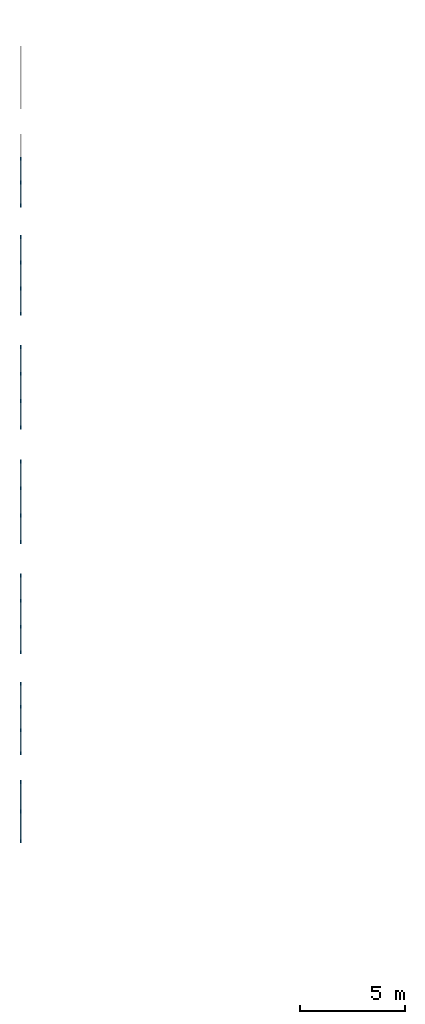
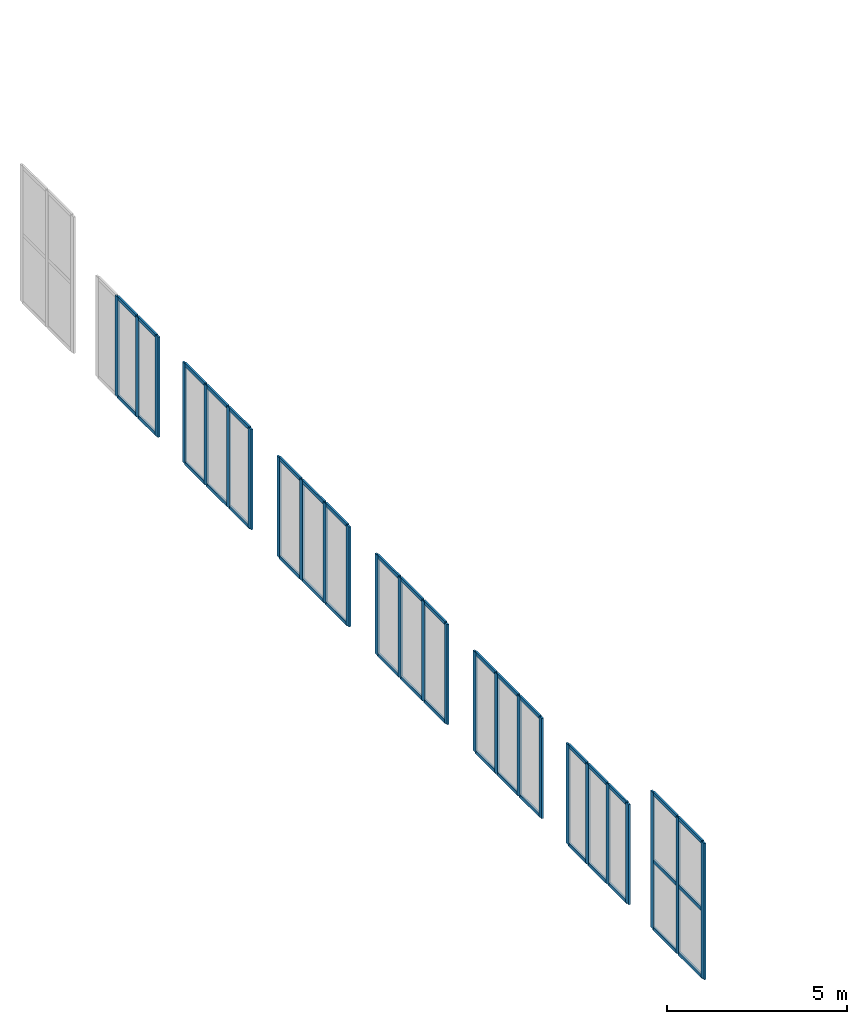
# One storey, part 2 of 31: 66 members, 7 elements without a shape of their own.
"""IFC4 building model written with IfcOpenShell, lengths in metres."""

import ifcopenshell
import ifcopenshell.guid

model = None  # the IFC model being written
_history = None  # IfcOwnerHistory: only IFC2X3 demands one
_inside = {}  # id of a spatial element -> (the spatial element, [elements in it])
_under = {}  # id of a project, library or spatial element -> (it, [spatial elements below it])
_declared = {}  # id of a project -> (the project, [libraries it declares])
_typed = {}  # id of a type object -> (the type object, [elements of that type])
_made_of = {}  # id of a material, layer set ... -> (it, [elements and type objects made of it])


def new_model(schema):
    """Start an empty IFC model of exactly this schema.

    Asked for "IFC4X3", IfcOpenShell would pick the latest addendum, in which some entities
    have other attributes; the version numbers below select the first issue.
    IFC2X3 requires an IfcOwnerHistory on every rooted entity: one is made here for all.
    """
    global model, _history
    if schema == "IFC4X3":
        model = ifcopenshell.file(schema_version=(4, 3, 0, 0))
    else:
        model = ifcopenshell.file(schema=schema)
    _inside.clear()
    _under.clear()
    _declared.clear()
    _typed.clear()
    _made_of.clear()
    _history = None
    if model.schema == "IFC2X3":
        org = make("IfcOrganization", Name="unknown")
        user = make(
            "IfcPersonAndOrganization",
            ThePerson=make("IfcPerson", FamilyName="unknown"),
            TheOrganization=org,
        )
        app = make(
            "IfcApplication",
            ApplicationDeveloper=org,
            Version="unknown",
            ApplicationFullName="unknown",
            ApplicationIdentifier="unknown",
        )
        _history = make(
            "IfcOwnerHistory",
            OwningUser=user,
            OwningApplication=app,
            ChangeAction="ADDED",
            CreationDate=0,
        )
    return model


def make(cls, **values):
    """One entity of the class cls with the attributes given. An attribute that is None is left unset."""
    return model.create_entity(
        cls, **{name: value for name, value in values.items() if value is not None}
    )


def rooted(cls, **values):
    """An entity with a GlobalId (a new one), such as an element, a storey or a relation."""
    return make(cls, GlobalId=ifcopenshell.guid.new(), OwnerHistory=_history, **values)


def si_unit(unit_type, name, prefix=None):
    """IfcSIUnit, for example si_unit("LENGTHUNIT", "METRE", prefix="MILLI")."""
    return make("IfcSIUnit", UnitType=unit_type, Prefix=prefix, Name=name)


def assignment(units):
    """IfcUnitAssignment: the units of a project."""
    return None if units is None else make("IfcUnitAssignment", Units=units)


def point(xyz):
    """IfcCartesianPoint."""
    return None if xyz is None else make("IfcCartesianPoint", Coordinates=xyz)


def direction(xyz):
    """IfcDirection."""
    return None if xyz is None else make("IfcDirection", DirectionRatios=xyz)


def frame(location, z_axis=None, x_axis=None):
    """IfcAxis2Placement3D, a coordinate frame: its origin and axes. An axis left out is left unset."""
    return make(
        "IfcAxis2Placement3D",
        Location=point(location),
        Axis=direction(z_axis),
        RefDirection=direction(x_axis),
    )


def frame_2d(location, x_axis=None):
    """IfcAxis2Placement2D, a coordinate frame in the plane: its origin and x axis."""
    return make(
        "IfcAxis2Placement2D", Location=point(location), RefDirection=direction(x_axis)
    )


def origin():
    """The frame at (0, 0, 0) with its axes left unset."""
    return frame((0.0, 0.0, 0.0))


def origin_2d():
    """The frame at (0, 0) in the plane with its x axis left unset."""
    return frame_2d((0.0, 0.0))


def place(relative_to, where):
    """IfcLocalPlacement: puts the frame where relative to a parent placement (None: the world)."""
    return make(
        "IfcLocalPlacement", PlacementRelTo=relative_to, RelativePlacement=where
    )


def context(
    kind, dimensions, precision=None, world=None, true_north=None, identifier=None
):
    """IfcGeometricRepresentationContext, for example the 3D "Model" context."""
    return make(
        "IfcGeometricRepresentationContext",
        ContextIdentifier=identifier,
        ContextType=kind,
        CoordinateSpaceDimension=dimensions,
        Precision=precision,
        WorldCoordinateSystem=world,
        TrueNorth=true_north,
    )


def subcontext(parent, identifier, kind, view, scale=None):
    """IfcGeometricRepresentationSubContext, for example "Body" below "Model"."""
    return make(
        "IfcGeometricRepresentationSubContext",
        ContextIdentifier=identifier,
        ContextType=kind,
        ParentContext=parent,
        TargetScale=scale,
        TargetView=view,
    )


def project(units=None, contexts=None):
    """IfcProject with its units and contexts."""
    return rooted(
        "IfcProject",
        Name="project",
        RepresentationContexts=contexts,
        UnitsInContext=assignment(units),
    )


def spatial(cls, under=None, at=None, **own):
    """A site, building, storey or space (cls), placed at a placement, below another one or the project."""
    s = rooted(cls, ObjectPlacement=at, **own)
    if under is not None:
        _under.setdefault(under.id(), (under, []))[1].append(s)
    return s


def profile(cls, at=None, kind="AREA", **sizes):
    """A parametric profile (cls). Its sizes go by their IFC names, for example OverallWidth=200.0."""
    return make(cls, ProfileType=kind, Position=at, **sizes)


def rectangle(**sizes):
    """IfcRectangleProfileDef."""
    return profile("IfcRectangleProfileDef", **sizes)


def extrude(swept, where, along, depth):
    """IfcExtrudedAreaSolid: the profile swept, set in the frame where, extruded along a direction by depth."""
    return make(
        "IfcExtrudedAreaSolid",
        SweptArea=swept,
        Position=where,
        ExtrudedDirection=direction(along),
        Depth=depth,
    )


def shape(context_of_items, identifier, shape_type, items):
    """IfcShapeRepresentation: the items that make up one representation, for example the "Body"."""
    return make(
        "IfcShapeRepresentation",
        ContextOfItems=context_of_items,
        RepresentationIdentifier=identifier,
        RepresentationType=shape_type,
        Items=items,
    )


def material(Name=None, Category=None):
    """IfcMaterial."""
    return make("IfcMaterial", Name=Name, Category=Category)


def material_profile(
    of_material, cross_section, Name=None, Category=None, Priority=None
):
    """IfcMaterialProfile: a cross section and its material."""
    return make(
        "IfcMaterialProfile",
        Name=Name,
        Material=of_material,
        Profile=cross_section,
        Priority=Priority,
        Category=Category,
    )


def profile_set(profiles, Name=None, composite=None):
    """IfcMaterialProfileSet."""
    return make(
        "IfcMaterialProfileSet",
        Name=Name,
        MaterialProfiles=profiles,
        CompositeProfile=composite,
    )


def made_of(thing, what):
    """Note that an element or type object is made of a material, layer set ...; save() writes the relation."""
    if what is not None:
        _made_of.setdefault(what.id(), (what, []))[1].append(thing)
    return thing


def type_object(cls, material=None, **own):
    """A type object (cls), such as IfcWallType, which elements share."""
    return made_of(rooted(cls, **own), material)


def element(
    cls,
    number,
    at=None,
    inside=None,
    cuts=None,
    type_object=None,
    material=None,
    context=None,
    identifier="Body",
    shape_type=None,
    held_by="IfcProductDefinitionShape",
    body=None,
    shapes=None,
    **own,
):
    """One element of the class cls, such as IfcWall. Its Tag is "e" and its number.

    at: its placement. inside: the storey or other place that contains it. cuts: it is an
    opening in that element (IfcRelVoidsElement). A single representation is given by context,
    identifier, shape_type and body (its items); several are given by shapes. held_by: the class
    of the entity that holds the representations. save() writes the other relations.
    """
    e = rooted(cls, Tag="e%d" % number, ObjectPlacement=at, **own)
    if body is not None:
        shapes = [shape(context, identifier, shape_type, body)]
    if shapes is not None:
        e.Representation = make(held_by, Representations=shapes)
    if inside is not None:
        _inside.setdefault(inside.id(), (inside, []))[1].append(e)
    if cuts is not None:
        rooted(
            "IfcRelVoidsElement", RelatingBuildingElement=cuts, RelatedOpeningElement=e
        )
    if type_object is not None:
        _typed.setdefault(type_object.id(), (type_object, []))[1].append(e)
    return made_of(e, material)


def aggregate(whole, parts):
    """IfcRelAggregates: a whole, such as a stair, and the parts it consists of."""
    return rooted("IfcRelAggregates", RelatingObject=whole, RelatedObjects=parts)


def save(model, path):
    """Write the relations noted so far, then the file.

    IfcRelAggregates (storeys below a building ...), IfcRelContainedInSpatialStructure (elements
    in a storey), IfcRelDefinesByType, IfcRelAssociatesMaterial and IfcRelDeclares: one each for
    every whole, place, type object, material and project.
    """
    for whole, parts in _under.values():
        aggregate(whole, parts)
    for where, things in _inside.values():
        rooted(
            "IfcRelContainedInSpatialStructure",
            RelatedElements=things,
            RelatingStructure=where,
        )
    for kind, things in _typed.values():
        rooted("IfcRelDefinesByType", RelatedObjects=things, RelatingType=kind)
    for what, things in _made_of.values():
        rooted("IfcRelAssociatesMaterial", RelatedObjects=things, RelatingMaterial=what)
    for by, libraries in _declared.values():
        rooted("IfcRelDeclares", RelatingContext=by, RelatedDefinitions=libraries)
    model.write(path)


model = new_model("IFC4")

# Units and contexts
model_context = context("Model", 3, precision=1e-05, world=origin(), true_north=direction((0.0, 1.0)))
body_context = subcontext(model_context, "Body", "Model", "MODEL_VIEW")
ifc_project = project(units=[si_unit("LENGTHUNIT", "METRE"), si_unit("AREAUNIT", "SQUARE_METRE"), si_unit("VOLUMEUNIT", "CUBIC_METRE"), si_unit("PLANEANGLEUNIT", "RADIAN"), si_unit("MASSUNIT", "GRAM", prefix="KILO")], contexts=[model_context])

# Site, building, storey
site_placement = place(None, origin())
site = spatial("IfcSite", under=ifc_project, at=site_placement, CompositionType="ELEMENT")
building_placement = place(site_placement, origin())
building = spatial("IfcBuilding", under=site, at=building_placement, Name="Vermilion Court Aquatics Centre", CompositionType="ELEMENT")
storey_placement = place(building_placement, frame((0.0, 0.0, 16.5)))
storey = spatial("IfcBuildingStorey", under=building, at=storey_placement, Name="L03", CompositionType="ELEMENT", Elevation=16.5)

# Curtain wall, members
ifc_material_1 = material(Name="Aluminium 6063-T5", Category="aluminium")
curtain_wall_type = type_object("IfcCurtainWallType", Name="Envelope curtain wall west gable upper runs", PredefinedType="NOTDEFINED", material=ifc_material_1)
curtain_wall_1_placement = place(storey_placement, origin())
curtain_wall_1 = element("IfcCurtainWall", 1, at=curtain_wall_1_placement, inside=storey, type_object=curtain_wall_type, Name="Gable glazing west 3.2", PredefinedType="NOTDEFINED")
ifc_material_2 = material(Name="Aluminium 6063-T5", Category="aluminium")
ifc_material_profile_1 = material_profile(ifc_material_2, rectangle(XDim=0.06005859375, YDim=0.159912109375, at=origin_2d()), Name="AL 60x160")
ifc_profile_set_1 = profile_set([ifc_material_profile_1], Name="Aluminium 6063-T5")
member_type_1 = type_object("IfcMemberType", Name="Envelope aluminium mullion 60x160", PredefinedType="MULLION", material=ifc_profile_set_1)
member_1_placement = place(storey_placement, frame((14.125, 20.64990234375, 0.0), z_axis=(0.0, 0.0, 1.0), x_axis=(-1.0, 0.0, 0.0)))
member_1 = element("IfcMember", 2, at=member_1_placement, type_object=member_type_1, Name="ECW4 mullion 1", PredefinedType="MULLION", context=body_context, shape_type="SweptSolid", body=[
    extrude(rectangle(XDim=0.06005859375, YDim=0.159912109375, at=origin_2d()), origin(), (0.0, 0.0, 1.0), 4.635009765625),
])
member_2_placement = place(storey_placement, frame((14.125, 22.06005859375, 0.0), z_axis=(0.0, 0.0, 1.0), x_axis=(-1.0, 0.0, 0.0)))
member_2 = element("IfcMember", 3, at=member_2_placement, type_object=member_type_1, Name="ECW4 mullion 2", PredefinedType="MULLION", context=body_context, shape_type="SweptSolid", body=[
    extrude(rectangle(XDim=0.06005859375, YDim=0.159912109375, at=origin_2d()), origin(), (0.0, 0.0, 1.0), 4.635009765625),
])
member_3_placement = place(storey_placement, frame((14.125, 23.469970703125, 0.0), z_axis=(0.0, 0.0, 1.0), x_axis=(-1.0, 0.0, 0.0)))
member_3 = element("IfcMember", 4, at=member_3_placement, type_object=member_type_1, Name="ECW4 mullion 3", PredefinedType="MULLION", context=body_context, shape_type="SweptSolid", body=[
    extrude(rectangle(XDim=0.06005859375, YDim=0.159912109375, at=origin_2d()), origin(), (0.0, 0.0, 1.0), 4.635009765625),
])

curtain_wall_2_placement = place(storey_placement, origin())
curtain_wall_2 = element("IfcCurtainWall", 5, at=curtain_wall_2_placement, inside=storey, type_object=curtain_wall_type, Name="Gable glazing west 4.2", PredefinedType="NOTDEFINED")
member_4_placement = place(storey_placement, frame((14.125, 24.85009765625, 0.0), z_axis=(0.0, 0.0, 1.0), x_axis=(-1.0, 0.0, 0.0)))
member_4 = element("IfcMember", 6, at=member_4_placement, type_object=member_type_1, Name="ECW4 mullion 1", PredefinedType="MULLION", context=body_context, shape_type="SweptSolid", body=[
    extrude(rectangle(XDim=0.06005859375, YDim=0.159912109375, at=origin_2d()), origin(), (0.0, 0.0, 1.0), 3.39990234375),
])
member_5_placement = place(storey_placement, frame((14.125, 25.94677734375, 0.0), z_axis=(0.0, 0.0, 1.0), x_axis=(-1.0, 0.0, 0.0)))
member_5 = element("IfcMember", 7, at=member_5_placement, type_object=member_type_1, Name="ECW4 mullion 2", PredefinedType="MULLION", context=body_context, shape_type="SweptSolid", body=[
    extrude(rectangle(XDim=0.06005859375, YDim=0.159912109375, at=origin_2d()), origin(), (0.0, 0.0, 1.0), 3.39990234375),
])
member_6_placement = place(storey_placement, frame((14.125, 27.0732421875, 0.0), z_axis=(0.0, 0.0, 1.0), x_axis=(-1.0, 0.0, 0.0)))
member_6 = element("IfcMember", 8, at=member_6_placement, type_object=member_type_1, Name="ECW4 mullion 3", PredefinedType="MULLION", context=body_context, shape_type="SweptSolid", body=[
    extrude(rectangle(XDim=0.06005859375, YDim=0.159912109375, at=origin_2d()), origin(), (0.0, 0.0, 1.0), 3.39990234375),
])
member_7_placement = place(storey_placement, frame((14.125, 28.169921875, 0.0), z_axis=(0.0, 0.0, 1.0), x_axis=(-1.0, 0.0, 0.0)))
member_7 = element("IfcMember", 9, at=member_7_placement, type_object=member_type_1, Name="ECW4 mullion 4", PredefinedType="MULLION", context=body_context, shape_type="SweptSolid", body=[
    extrude(rectangle(XDim=0.06005859375, YDim=0.159912109375, at=origin_2d()), origin(), (0.0, 0.0, 1.0), 3.39990234375),
])

curtain_wall_3_placement = place(storey_placement, origin())
curtain_wall_3 = element("IfcCurtainWall", 10, at=curtain_wall_3_placement, inside=storey, type_object=curtain_wall_type, Name="Gable glazing west 5.2", PredefinedType="NOTDEFINED")
member_8_placement = place(storey_placement, frame((14.125, 29.679931640625, 0.0), z_axis=(0.0, 0.0, 1.0), x_axis=(-1.0, 0.0, 0.0)))
member_8 = element("IfcMember", 11, at=member_8_placement, type_object=member_type_1, Name="ECW4 mullion 1", PredefinedType="MULLION", context=body_context, shape_type="SweptSolid", body=[
    extrude(rectangle(XDim=0.06005859375, YDim=0.159912109375, at=origin_2d()), origin(), (0.0, 0.0, 1.0), 3.39990234375),
])
member_9_placement = place(storey_placement, frame((14.125, 30.893310546875, 0.0), z_axis=(0.0, 0.0, 1.0), x_axis=(-1.0, 0.0, 0.0)))
member_9 = element("IfcMember", 12, at=member_9_placement, type_object=member_type_1, Name="ECW4 mullion 2", PredefinedType="MULLION", context=body_context, shape_type="SweptSolid", body=[
    extrude(rectangle(XDim=0.06005859375, YDim=0.159912109375, at=origin_2d()), origin(), (0.0, 0.0, 1.0), 3.39990234375),
])
member_10_placement = place(storey_placement, frame((14.125, 32.13671875, 0.0), z_axis=(0.0, 0.0, 1.0), x_axis=(-1.0, 0.0, 0.0)))
member_10 = element("IfcMember", 13, at=member_10_placement, type_object=member_type_1, Name="ECW4 mullion 3", PredefinedType="MULLION", context=body_context, shape_type="SweptSolid", body=[
    extrude(rectangle(XDim=0.06005859375, YDim=0.159912109375, at=origin_2d()), origin(), (0.0, 0.0, 1.0), 3.39990234375),
])
member_11_placement = place(storey_placement, frame((14.125, 33.35009765625, 0.0), z_axis=(0.0, 0.0, 1.0), x_axis=(-1.0, 0.0, 0.0)))
member_11 = element("IfcMember", 14, at=member_11_placement, type_object=member_type_1, Name="ECW4 mullion 4", PredefinedType="MULLION", context=body_context, shape_type="SweptSolid", body=[
    extrude(rectangle(XDim=0.06005859375, YDim=0.159912109375, at=origin_2d()), origin(), (0.0, 0.0, 1.0), 3.39990234375),
])

curtain_wall_4_placement = place(storey_placement, origin())
curtain_wall_4 = element("IfcCurtainWall", 15, at=curtain_wall_4_placement, inside=storey, type_object=curtain_wall_type, Name="Gable glazing west 6.2", PredefinedType="NOTDEFINED")
member_12_placement = place(storey_placement, frame((14.125, 34.93994140625, 0.0), z_axis=(0.0, 0.0, 1.0), x_axis=(-1.0, 0.0, 0.0)))
member_12 = element("IfcMember", 16, at=member_12_placement, type_object=member_type_1, Name="ECW4 mullion 1", PredefinedType="MULLION", context=body_context, shape_type="SweptSolid", body=[
    extrude(rectangle(XDim=0.06005859375, YDim=0.159912109375, at=origin_2d()), origin(), (0.0, 0.0, 1.0), 3.39990234375),
])
member_13_placement = place(storey_placement, frame((14.125, 36.21337890625, 0.0), z_axis=(0.0, 0.0, 1.0), x_axis=(-1.0, 0.0, 0.0)))
member_13 = element("IfcMember", 17, at=member_13_placement, type_object=member_type_1, Name="ECW4 mullion 2", PredefinedType="MULLION", context=body_context, shape_type="SweptSolid", body=[
    extrude(rectangle(XDim=0.06005859375, YDim=0.159912109375, at=origin_2d()), origin(), (0.0, 0.0, 1.0), 3.39990234375),
])
member_14_placement = place(storey_placement, frame((14.125, 37.5166015625, 0.0), z_axis=(0.0, 0.0, 1.0), x_axis=(-1.0, 0.0, 0.0)))
member_14 = element("IfcMember", 18, at=member_14_placement, type_object=member_type_1, Name="ECW4 mullion 3", PredefinedType="MULLION", context=body_context, shape_type="SweptSolid", body=[
    extrude(rectangle(XDim=0.06005859375, YDim=0.159912109375, at=origin_2d()), origin(), (0.0, 0.0, 1.0), 3.39990234375),
])
member_15_placement = place(storey_placement, frame((14.125, 38.7900390625, 0.0), z_axis=(0.0, 0.0, 1.0), x_axis=(-1.0, 0.0, 0.0)))
member_15 = element("IfcMember", 19, at=member_15_placement, type_object=member_type_1, Name="ECW4 mullion 4", PredefinedType="MULLION", context=body_context, shape_type="SweptSolid", body=[
    extrude(rectangle(XDim=0.06005859375, YDim=0.159912109375, at=origin_2d()), origin(), (0.0, 0.0, 1.0), 3.39990234375),
])

curtain_wall_5_placement = place(storey_placement, origin())
curtain_wall_5 = element("IfcCurtainWall", 20, at=curtain_wall_5_placement, inside=storey, type_object=curtain_wall_type, Name="Gable glazing west 7.2", PredefinedType="NOTDEFINED")
member_16_placement = place(storey_placement, frame((14.125, 40.409912109375, 0.0), z_axis=(0.0, 0.0, 1.0), x_axis=(-1.0, 0.0, 0.0)))
member_16 = element("IfcMember", 21, at=member_16_placement, type_object=member_type_1, Name="ECW4 mullion 1", PredefinedType="MULLION", context=body_context, shape_type="SweptSolid", body=[
    extrude(rectangle(XDim=0.06005859375, YDim=0.159912109375, at=origin_2d()), origin(), (0.0, 0.0, 1.0), 3.39990234375),
])
member_17_placement = place(storey_placement, frame((14.125, 41.683349609375, 0.0), z_axis=(0.0, 0.0, 1.0), x_axis=(-1.0, 0.0, 0.0)))
member_17 = element("IfcMember", 22, at=member_17_placement, type_object=member_type_1, Name="ECW4 mullion 2", PredefinedType="MULLION", context=body_context, shape_type="SweptSolid", body=[
    extrude(rectangle(XDim=0.06005859375, YDim=0.159912109375, at=origin_2d()), origin(), (0.0, 0.0, 1.0), 3.39990234375),
])
member_18_placement = place(storey_placement, frame((14.125, 42.986572265625, 0.0), z_axis=(0.0, 0.0, 1.0), x_axis=(-1.0, 0.0, 0.0)))
member_18 = element("IfcMember", 23, at=member_18_placement, type_object=member_type_1, Name="ECW4 mullion 3", PredefinedType="MULLION", context=body_context, shape_type="SweptSolid", body=[
    extrude(rectangle(XDim=0.06005859375, YDim=0.159912109375, at=origin_2d()), origin(), (0.0, 0.0, 1.0), 3.39990234375),
])
member_19_placement = place(storey_placement, frame((14.125, 44.260009765625, 0.0), z_axis=(0.0, 0.0, 1.0), x_axis=(-1.0, 0.0, 0.0)))
member_19 = element("IfcMember", 24, at=member_19_placement, type_object=member_type_1, Name="ECW4 mullion 4", PredefinedType="MULLION", context=body_context, shape_type="SweptSolid", body=[
    extrude(rectangle(XDim=0.06005859375, YDim=0.159912109375, at=origin_2d()), origin(), (0.0, 0.0, 1.0), 3.39990234375),
])

curtain_wall_6_placement = place(storey_placement, origin())
curtain_wall_6 = element("IfcCurtainWall", 25, at=curtain_wall_6_placement, inside=storey, type_object=curtain_wall_type, Name="Gable glazing west 8.2", PredefinedType="NOTDEFINED")
member_20_placement = place(storey_placement, frame((14.125, 45.85009765625, 0.0), z_axis=(0.0, 0.0, 1.0), x_axis=(-1.0, 0.0, 0.0)))
member_20 = element("IfcMember", 26, at=member_20_placement, type_object=member_type_1, Name="ECW4 mullion 1", PredefinedType="MULLION", context=body_context, shape_type="SweptSolid", body=[
    extrude(rectangle(XDim=0.06005859375, YDim=0.159912109375, at=origin_2d()), origin(), (0.0, 0.0, 1.0), 3.39990234375),
])
member_21_placement = place(storey_placement, frame((14.125, 47.063232421875, 0.0), z_axis=(0.0, 0.0, 1.0), x_axis=(-1.0, 0.0, 0.0)))
member_21 = element("IfcMember", 27, at=member_21_placement, type_object=member_type_1, Name="ECW4 mullion 2", PredefinedType="MULLION", context=body_context, shape_type="SweptSolid", body=[
    extrude(rectangle(XDim=0.06005859375, YDim=0.159912109375, at=origin_2d()), origin(), (0.0, 0.0, 1.0), 3.39990234375),
])
member_22_placement = place(storey_placement, frame((14.125, 48.306640625, 0.0), z_axis=(0.0, 0.0, 1.0), x_axis=(-1.0, 0.0, 0.0)))
member_22 = element("IfcMember", 28, at=member_22_placement, type_object=member_type_1, Name="ECW4 mullion 3", PredefinedType="MULLION", context=body_context, shape_type="SweptSolid", body=[
    extrude(rectangle(XDim=0.06005859375, YDim=0.159912109375, at=origin_2d()), origin(), (0.0, 0.0, 1.0), 3.39990234375),
])
member_23_placement = place(storey_placement, frame((14.125, 49.52001953125, 0.0), z_axis=(0.0, 0.0, 1.0), x_axis=(-1.0, 0.0, 0.0)))
member_23 = element("IfcMember", 29, at=member_23_placement, type_object=member_type_1, Name="ECW4 mullion 4", PredefinedType="MULLION", context=body_context, shape_type="SweptSolid", body=[
    extrude(rectangle(XDim=0.06005859375, YDim=0.159912109375, at=origin_2d()), origin(), (0.0, 0.0, 1.0), 3.39990234375),
])

curtain_wall_7_placement = place(storey_placement, origin())
curtain_wall_7 = element("IfcCurtainWall", 30, at=curtain_wall_7_placement, inside=storey, type_object=curtain_wall_type, Name="Gable glazing west 9.2", PredefinedType="NOTDEFINED")
member_24_placement = place(storey_placement, frame((14.125, 51.030029296875, 0.0), z_axis=(0.0, 0.0, 1.0), x_axis=(-1.0, 0.0, 0.0)))
member_24 = element("IfcMember", 31, at=member_24_placement, type_object=member_type_1, Name="ECW4 mullion 1", PredefinedType="MULLION", context=body_context, shape_type="SweptSolid", body=[
    extrude(rectangle(XDim=0.06005859375, YDim=0.159912109375, at=origin_2d()), origin(), (0.0, 0.0, 1.0), 3.39990234375),
])
member_25_placement = place(storey_placement, frame((14.125, 52.126708984375, 0.0), z_axis=(0.0, 0.0, 1.0), x_axis=(-1.0, 0.0, 0.0)))
member_25 = element("IfcMember", 32, at=member_25_placement, type_object=member_type_1, Name="ECW4 mullion 2", PredefinedType="MULLION", context=body_context, shape_type="SweptSolid", body=[
    extrude(rectangle(XDim=0.06005859375, YDim=0.159912109375, at=origin_2d()), origin(), (0.0, 0.0, 1.0), 3.39990234375),
])
member_26_placement = place(storey_placement, frame((14.125, 53.25341796875, 0.0), z_axis=(0.0, 0.0, 1.0), x_axis=(-1.0, 0.0, 0.0)))
member_26 = element("IfcMember", 33, at=member_26_placement, type_object=member_type_1, Name="ECW4 mullion 3", PredefinedType="MULLION", context=body_context, shape_type="SweptSolid", body=[
    extrude(rectangle(XDim=0.06005859375, YDim=0.159912109375, at=origin_2d()), origin(), (0.0, 0.0, 1.0), 3.39990234375),
])

# Member
ifc_material_3 = material(Name="Aluminium 6063-T5", Category="aluminium")
ifc_material_profile_2 = material_profile(ifc_material_3, rectangle(XDim=0.06005859375, YDim=0.1201171875, at=origin_2d()), Name="AL 60x120")
ifc_profile_set_2 = profile_set([ifc_material_profile_2], Name="Aluminium 6063-T5")
member_type_2 = type_object("IfcMemberType", Name="Envelope aluminium transom 60x120", PredefinedType="USERDEFINED", material=ifc_profile_set_2)
member_27_placement = place(storey_placement, frame((14.125, 20.679931640625, 0.030029296875), z_axis=(0.0, 1.0, 0.0), x_axis=(-1.0, 0.0, 0.0)))
member_27 = element("IfcMember", 34, at=member_27_placement, type_object=member_type_2, Name="ECW4 transom 1.1", ObjectType="TRANSOM", PredefinedType="USERDEFINED", context=body_context, shape_type="SweptSolid", body=[
    extrude(rectangle(XDim=0.06005859375, YDim=0.1201171875, at=origin_2d()), origin(), (0.0, 0.0, 1.0), 1.35009765625),
])

member_28_placement = place(storey_placement, frame((14.125, 20.679931640625, 2.317626953125), z_axis=(0.0, 1.0, 0.0), x_axis=(-1.0, 0.0, 0.0)))
member_28 = element("IfcMember", 35, at=member_28_placement, type_object=member_type_2, Name="ECW4 transom 1.2", ObjectType="TRANSOM", PredefinedType="USERDEFINED", context=body_context, shape_type="SweptSolid", body=[
    extrude(rectangle(XDim=0.06005859375, YDim=0.1201171875, at=origin_2d()), origin(), (0.0, 0.0, 1.0), 1.35009765625),
])

member_29_placement = place(storey_placement, frame((14.125, 20.679931640625, 4.60498046875), z_axis=(0.0, 1.0, 0.0), x_axis=(-1.0, 0.0, 0.0)))
member_29 = element("IfcMember", 36, at=member_29_placement, type_object=member_type_2, Name="ECW4 transom 1.3", ObjectType="TRANSOM", PredefinedType="USERDEFINED", context=body_context, shape_type="SweptSolid", body=[
    extrude(rectangle(XDim=0.06005859375, YDim=0.1201171875, at=origin_2d()), origin(), (0.0, 0.0, 1.0), 1.35009765625),
])

member_30_placement = place(storey_placement, frame((14.125, 22.090087890625, 0.030029296875), z_axis=(0.0, 1.0, 0.0), x_axis=(-1.0, 0.0, 0.0)))
member_30 = element("IfcMember", 37, at=member_30_placement, type_object=member_type_2, Name="ECW4 transom 2.1", ObjectType="TRANSOM", PredefinedType="USERDEFINED", context=body_context, shape_type="SweptSolid", body=[
    extrude(rectangle(XDim=0.06005859375, YDim=0.1201171875, at=origin_2d()), origin(), (0.0, 0.0, 1.0), 1.349853515625),
])

member_31_placement = place(storey_placement, frame((14.125, 22.090087890625, 2.317626953125), z_axis=(0.0, 1.0, 0.0), x_axis=(-1.0, 0.0, 0.0)))
member_31 = element("IfcMember", 38, at=member_31_placement, type_object=member_type_2, Name="ECW4 transom 2.2", ObjectType="TRANSOM", PredefinedType="USERDEFINED", context=body_context, shape_type="SweptSolid", body=[
    extrude(rectangle(XDim=0.06005859375, YDim=0.1201171875, at=origin_2d()), origin(), (0.0, 0.0, 1.0), 1.349853515625),
])

member_32_placement = place(storey_placement, frame((14.125, 22.090087890625, 4.60498046875), z_axis=(0.0, 1.0, 0.0), x_axis=(-1.0, 0.0, 0.0)))
member_32 = element("IfcMember", 39, at=member_32_placement, type_object=member_type_2, Name="ECW4 transom 2.3", ObjectType="TRANSOM", PredefinedType="USERDEFINED", context=body_context, shape_type="SweptSolid", body=[
    extrude(rectangle(XDim=0.06005859375, YDim=0.1201171875, at=origin_2d()), origin(), (0.0, 0.0, 1.0), 1.349853515625),
])

aggregate(curtain_wall_1, [member_1, member_2, member_3, member_27, member_28, member_29, member_30, member_31, member_32])

member_33_placement = place(storey_placement, frame((14.125, 24.8798828125, 0.030029296875), z_axis=(0.0, 1.0, 0.0), x_axis=(-1.0, 0.0, 0.0)))
member_33 = element("IfcMember", 40, at=member_33_placement, type_object=member_type_2, Name="ECW4 transom 1.1", ObjectType="TRANSOM", PredefinedType="USERDEFINED", context=body_context, shape_type="SweptSolid", body=[
    extrude(rectangle(XDim=0.06005859375, YDim=0.1201171875, at=origin_2d()), origin(), (0.0, 0.0, 1.0), 1.036865234375),
])

member_34_placement = place(storey_placement, frame((14.125, 24.8798828125, 3.3701171875), z_axis=(0.0, 1.0, 0.0), x_axis=(-1.0, 0.0, 0.0)))
member_34 = element("IfcMember", 41, at=member_34_placement, type_object=member_type_2, Name="ECW4 transom 1.2", ObjectType="TRANSOM", PredefinedType="USERDEFINED", context=body_context, shape_type="SweptSolid", body=[
    extrude(rectangle(XDim=0.06005859375, YDim=0.1201171875, at=origin_2d()), origin(), (0.0, 0.0, 1.0), 1.036865234375),
])

member_35_placement = place(storey_placement, frame((14.125, 25.9765625, 0.030029296875), z_axis=(0.0, 1.0, 0.0), x_axis=(-1.0, 0.0, 0.0)))
member_35 = element("IfcMember", 42, at=member_35_placement, type_object=member_type_2, Name="ECW4 transom 2.1", ObjectType="TRANSOM", PredefinedType="USERDEFINED", context=body_context, shape_type="SweptSolid", body=[
    extrude(rectangle(XDim=0.06005859375, YDim=0.1201171875, at=origin_2d()), origin(), (0.0, 0.0, 1.0), 1.066650390625),
])

member_36_placement = place(storey_placement, frame((14.125, 25.9765625, 3.3701171875), z_axis=(0.0, 1.0, 0.0), x_axis=(-1.0, 0.0, 0.0)))
member_36 = element("IfcMember", 43, at=member_36_placement, type_object=member_type_2, Name="ECW4 transom 2.2", ObjectType="TRANSOM", PredefinedType="USERDEFINED", context=body_context, shape_type="SweptSolid", body=[
    extrude(rectangle(XDim=0.06005859375, YDim=0.1201171875, at=origin_2d()), origin(), (0.0, 0.0, 1.0), 1.066650390625),
])

member_37_placement = place(storey_placement, frame((14.125, 27.103271484375, 0.030029296875), z_axis=(0.0, 1.0, 0.0), x_axis=(-1.0, 0.0, 0.0)))
member_37 = element("IfcMember", 44, at=member_37_placement, type_object=member_type_2, Name="ECW4 transom 3.1", ObjectType="TRANSOM", PredefinedType="USERDEFINED", context=body_context, shape_type="SweptSolid", body=[
    extrude(rectangle(XDim=0.06005859375, YDim=0.1201171875, at=origin_2d()), origin(), (0.0, 0.0, 1.0), 1.03662109375),
])

member_38_placement = place(storey_placement, frame((14.125, 27.103271484375, 3.3701171875), z_axis=(0.0, 1.0, 0.0), x_axis=(-1.0, 0.0, 0.0)))
member_38 = element("IfcMember", 45, at=member_38_placement, type_object=member_type_2, Name="ECW4 transom 3.2", ObjectType="TRANSOM", PredefinedType="USERDEFINED", context=body_context, shape_type="SweptSolid", body=[
    extrude(rectangle(XDim=0.06005859375, YDim=0.1201171875, at=origin_2d()), origin(), (0.0, 0.0, 1.0), 1.03662109375),
])

aggregate(curtain_wall_2, [member_4, member_5, member_6, member_7, member_33, member_34, member_35, member_36, member_37, member_38])

member_39_placement = place(storey_placement, frame((14.125, 29.7099609375, 0.030029296875), z_axis=(0.0, 1.0, 0.0), x_axis=(-1.0, 0.0, 0.0)))
member_39 = element("IfcMember", 46, at=member_39_placement, type_object=member_type_2, Name="ECW4 transom 1.1", ObjectType="TRANSOM", PredefinedType="USERDEFINED", context=body_context, shape_type="SweptSolid", body=[
    extrude(rectangle(XDim=0.06005859375, YDim=0.1201171875, at=origin_2d()), origin(), (0.0, 0.0, 1.0), 1.1533203125),
])

member_40_placement = place(storey_placement, frame((14.125, 29.7099609375, 3.3701171875), z_axis=(0.0, 1.0, 0.0), x_axis=(-1.0, 0.0, 0.0)))
member_40 = element("IfcMember", 47, at=member_40_placement, type_object=member_type_2, Name="ECW4 transom 1.2", ObjectType="TRANSOM", PredefinedType="USERDEFINED", context=body_context, shape_type="SweptSolid", body=[
    extrude(rectangle(XDim=0.06005859375, YDim=0.1201171875, at=origin_2d()), origin(), (0.0, 0.0, 1.0), 1.1533203125),
])

member_41_placement = place(storey_placement, frame((14.125, 30.92333984375, 0.030029296875), z_axis=(0.0, 1.0, 0.0), x_axis=(-1.0, 0.0, 0.0)))
member_41 = element("IfcMember", 48, at=member_41_placement, type_object=member_type_2, Name="ECW4 transom 2.1", ObjectType="TRANSOM", PredefinedType="USERDEFINED", context=body_context, shape_type="SweptSolid", body=[
    extrude(rectangle(XDim=0.06005859375, YDim=0.1201171875, at=origin_2d()), origin(), (0.0, 0.0, 1.0), 1.183349609375),
])

member_42_placement = place(storey_placement, frame((14.125, 30.92333984375, 3.3701171875), z_axis=(0.0, 1.0, 0.0), x_axis=(-1.0, 0.0, 0.0)))
member_42 = element("IfcMember", 49, at=member_42_placement, type_object=member_type_2, Name="ECW4 transom 2.2", ObjectType="TRANSOM", PredefinedType="USERDEFINED", context=body_context, shape_type="SweptSolid", body=[
    extrude(rectangle(XDim=0.06005859375, YDim=0.1201171875, at=origin_2d()), origin(), (0.0, 0.0, 1.0), 1.183349609375),
])

member_43_placement = place(storey_placement, frame((14.125, 32.166748046875, 0.030029296875), z_axis=(0.0, 1.0, 0.0), x_axis=(-1.0, 0.0, 0.0)))
member_43 = element("IfcMember", 50, at=member_43_placement, type_object=member_type_2, Name="ECW4 transom 3.1", ObjectType="TRANSOM", PredefinedType="USERDEFINED", context=body_context, shape_type="SweptSolid", body=[
    extrude(rectangle(XDim=0.06005859375, YDim=0.1201171875, at=origin_2d()), origin(), (0.0, 0.0, 1.0), 1.1533203125),
])

member_44_placement = place(storey_placement, frame((14.125, 32.166748046875, 3.3701171875), z_axis=(0.0, 1.0, 0.0), x_axis=(-1.0, 0.0, 0.0)))
member_44 = element("IfcMember", 51, at=member_44_placement, type_object=member_type_2, Name="ECW4 transom 3.2", ObjectType="TRANSOM", PredefinedType="USERDEFINED", context=body_context, shape_type="SweptSolid", body=[
    extrude(rectangle(XDim=0.06005859375, YDim=0.1201171875, at=origin_2d()), origin(), (0.0, 0.0, 1.0), 1.1533203125),
])

aggregate(curtain_wall_3, [member_8, member_9, member_10, member_11, member_39, member_40, member_41, member_42, member_43, member_44])

member_45_placement = place(storey_placement, frame((14.125, 34.969970703125, 0.030029296875), z_axis=(0.0, 1.0, 0.0), x_axis=(-1.0, 0.0, 0.0)))
member_45 = element("IfcMember", 52, at=member_45_placement, type_object=member_type_2, Name="ECW4 transom 1.1", ObjectType="TRANSOM", PredefinedType="USERDEFINED", context=body_context, shape_type="SweptSolid", body=[
    extrude(rectangle(XDim=0.06005859375, YDim=0.1201171875, at=origin_2d()), origin(), (0.0, 0.0, 1.0), 1.21337890625),
])

member_46_placement = place(storey_placement, frame((14.125, 34.969970703125, 3.3701171875), z_axis=(0.0, 1.0, 0.0), x_axis=(-1.0, 0.0, 0.0)))
member_46 = element("IfcMember", 53, at=member_46_placement, type_object=member_type_2, Name="ECW4 transom 1.2", ObjectType="TRANSOM", PredefinedType="USERDEFINED", context=body_context, shape_type="SweptSolid", body=[
    extrude(rectangle(XDim=0.06005859375, YDim=0.1201171875, at=origin_2d()), origin(), (0.0, 0.0, 1.0), 1.21337890625),
])

member_47_placement = place(storey_placement, frame((14.125, 36.243408203125, 0.030029296875), z_axis=(0.0, 1.0, 0.0), x_axis=(-1.0, 0.0, 0.0)))
member_47 = element("IfcMember", 54, at=member_47_placement, type_object=member_type_2, Name="ECW4 transom 2.1", ObjectType="TRANSOM", PredefinedType="USERDEFINED", context=body_context, shape_type="SweptSolid", body=[
    extrude(rectangle(XDim=0.06005859375, YDim=0.1201171875, at=origin_2d()), origin(), (0.0, 0.0, 1.0), 1.2431640625),
])

member_48_placement = place(storey_placement, frame((14.125, 36.243408203125, 3.3701171875), z_axis=(0.0, 1.0, 0.0), x_axis=(-1.0, 0.0, 0.0)))
member_48 = element("IfcMember", 55, at=member_48_placement, type_object=member_type_2, Name="ECW4 transom 2.2", ObjectType="TRANSOM", PredefinedType="USERDEFINED", context=body_context, shape_type="SweptSolid", body=[
    extrude(rectangle(XDim=0.06005859375, YDim=0.1201171875, at=origin_2d()), origin(), (0.0, 0.0, 1.0), 1.2431640625),
])

member_49_placement = place(storey_placement, frame((14.125, 37.546630859375, 0.030029296875), z_axis=(0.0, 1.0, 0.0), x_axis=(-1.0, 0.0, 0.0)))
member_49 = element("IfcMember", 56, at=member_49_placement, type_object=member_type_2, Name="ECW4 transom 3.1", ObjectType="TRANSOM", PredefinedType="USERDEFINED", context=body_context, shape_type="SweptSolid", body=[
    extrude(rectangle(XDim=0.06005859375, YDim=0.1201171875, at=origin_2d()), origin(), (0.0, 0.0, 1.0), 1.21337890625),
])

member_50_placement = place(storey_placement, frame((14.125, 37.546630859375, 3.3701171875), z_axis=(0.0, 1.0, 0.0), x_axis=(-1.0, 0.0, 0.0)))
member_50 = element("IfcMember", 57, at=member_50_placement, type_object=member_type_2, Name="ECW4 transom 3.2", ObjectType="TRANSOM", PredefinedType="USERDEFINED", context=body_context, shape_type="SweptSolid", body=[
    extrude(rectangle(XDim=0.06005859375, YDim=0.1201171875, at=origin_2d()), origin(), (0.0, 0.0, 1.0), 1.21337890625),
])

aggregate(curtain_wall_4, [member_12, member_13, member_14, member_15, member_45, member_46, member_47, member_48, member_49, member_50])

member_51_placement = place(storey_placement, frame((14.125, 40.43994140625, 0.030029296875), z_axis=(0.0, 1.0, 0.0), x_axis=(-1.0, 0.0, 0.0)))
member_51 = element("IfcMember", 58, at=member_51_placement, type_object=member_type_2, Name="ECW4 transom 1.1", ObjectType="TRANSOM", PredefinedType="USERDEFINED", context=body_context, shape_type="SweptSolid", body=[
    extrude(rectangle(XDim=0.06005859375, YDim=0.1201171875, at=origin_2d()), origin(), (0.0, 0.0, 1.0), 1.21337890625),
])

member_52_placement = place(storey_placement, frame((14.125, 40.43994140625, 3.3701171875), z_axis=(0.0, 1.0, 0.0), x_axis=(-1.0, 0.0, 0.0)))
member_52 = element("IfcMember", 59, at=member_52_placement, type_object=member_type_2, Name="ECW4 transom 1.2", ObjectType="TRANSOM", PredefinedType="USERDEFINED", context=body_context, shape_type="SweptSolid", body=[
    extrude(rectangle(XDim=0.06005859375, YDim=0.1201171875, at=origin_2d()), origin(), (0.0, 0.0, 1.0), 1.21337890625),
])

member_53_placement = place(storey_placement, frame((14.125, 41.71337890625, 0.030029296875), z_axis=(0.0, 1.0, 0.0), x_axis=(-1.0, 0.0, 0.0)))
member_53 = element("IfcMember", 60, at=member_53_placement, type_object=member_type_2, Name="ECW4 transom 2.1", ObjectType="TRANSOM", PredefinedType="USERDEFINED", context=body_context, shape_type="SweptSolid", body=[
    extrude(rectangle(XDim=0.06005859375, YDim=0.1201171875, at=origin_2d()), origin(), (0.0, 0.0, 1.0), 1.243408203125),
])

member_54_placement = place(storey_placement, frame((14.125, 41.71337890625, 3.3701171875), z_axis=(0.0, 1.0, 0.0), x_axis=(-1.0, 0.0, 0.0)))
member_54 = element("IfcMember", 61, at=member_54_placement, type_object=member_type_2, Name="ECW4 transom 2.2", ObjectType="TRANSOM", PredefinedType="USERDEFINED", context=body_context, shape_type="SweptSolid", body=[
    extrude(rectangle(XDim=0.06005859375, YDim=0.1201171875, at=origin_2d()), origin(), (0.0, 0.0, 1.0), 1.243408203125),
])

member_55_placement = place(storey_placement, frame((14.125, 43.0166015625, 0.030029296875), z_axis=(0.0, 1.0, 0.0), x_axis=(-1.0, 0.0, 0.0)))
member_55 = element("IfcMember", 62, at=member_55_placement, type_object=member_type_2, Name="ECW4 transom 3.1", ObjectType="TRANSOM", PredefinedType="USERDEFINED", context=body_context, shape_type="SweptSolid", body=[
    extrude(rectangle(XDim=0.06005859375, YDim=0.1201171875, at=origin_2d()), origin(), (0.0, 0.0, 1.0), 1.21337890625),
])

member_56_placement = place(storey_placement, frame((14.125, 43.0166015625, 3.3701171875), z_axis=(0.0, 1.0, 0.0), x_axis=(-1.0, 0.0, 0.0)))
member_56 = element("IfcMember", 63, at=member_56_placement, type_object=member_type_2, Name="ECW4 transom 3.2", ObjectType="TRANSOM", PredefinedType="USERDEFINED", context=body_context, shape_type="SweptSolid", body=[
    extrude(rectangle(XDim=0.06005859375, YDim=0.1201171875, at=origin_2d()), origin(), (0.0, 0.0, 1.0), 1.21337890625),
])

aggregate(curtain_wall_5, [member_16, member_17, member_18, member_19, member_51, member_52, member_53, member_54, member_55, member_56])

member_57_placement = place(storey_placement, frame((14.125, 45.8798828125, 0.030029296875), z_axis=(0.0, 1.0, 0.0), x_axis=(-1.0, 0.0, 0.0)))
member_57 = element("IfcMember", 64, at=member_57_placement, type_object=member_type_2, Name="ECW4 transom 1.1", ObjectType="TRANSOM", PredefinedType="USERDEFINED", context=body_context, shape_type="SweptSolid", body=[
    extrude(rectangle(XDim=0.06005859375, YDim=0.1201171875, at=origin_2d()), origin(), (0.0, 0.0, 1.0), 1.153564453125),
])

member_58_placement = place(storey_placement, frame((14.125, 45.8798828125, 3.3701171875), z_axis=(0.0, 1.0, 0.0), x_axis=(-1.0, 0.0, 0.0)))
member_58 = element("IfcMember", 65, at=member_58_placement, type_object=member_type_2, Name="ECW4 transom 1.2", ObjectType="TRANSOM", PredefinedType="USERDEFINED", context=body_context, shape_type="SweptSolid", body=[
    extrude(rectangle(XDim=0.06005859375, YDim=0.1201171875, at=origin_2d()), origin(), (0.0, 0.0, 1.0), 1.153564453125),
])

member_59_placement = place(storey_placement, frame((14.125, 47.09326171875, 0.030029296875), z_axis=(0.0, 1.0, 0.0), x_axis=(-1.0, 0.0, 0.0)))
member_59 = element("IfcMember", 66, at=member_59_placement, type_object=member_type_2, Name="ECW4 transom 2.1", ObjectType="TRANSOM", PredefinedType="USERDEFINED", context=body_context, shape_type="SweptSolid", body=[
    extrude(rectangle(XDim=0.06005859375, YDim=0.1201171875, at=origin_2d()), origin(), (0.0, 0.0, 1.0), 1.183349609375),
])

member_60_placement = place(storey_placement, frame((14.125, 47.09326171875, 3.3701171875), z_axis=(0.0, 1.0, 0.0), x_axis=(-1.0, 0.0, 0.0)))
member_60 = element("IfcMember", 67, at=member_60_placement, type_object=member_type_2, Name="ECW4 transom 2.2", ObjectType="TRANSOM", PredefinedType="USERDEFINED", context=body_context, shape_type="SweptSolid", body=[
    extrude(rectangle(XDim=0.06005859375, YDim=0.1201171875, at=origin_2d()), origin(), (0.0, 0.0, 1.0), 1.183349609375),
])

member_61_placement = place(storey_placement, frame((14.125, 48.336669921875, 0.030029296875), z_axis=(0.0, 1.0, 0.0), x_axis=(-1.0, 0.0, 0.0)))
member_61 = element("IfcMember", 68, at=member_61_placement, type_object=member_type_2, Name="ECW4 transom 3.1", ObjectType="TRANSOM", PredefinedType="USERDEFINED", context=body_context, shape_type="SweptSolid", body=[
    extrude(rectangle(XDim=0.06005859375, YDim=0.1201171875, at=origin_2d()), origin(), (0.0, 0.0, 1.0), 1.1533203125),
])

member_62_placement = place(storey_placement, frame((14.125, 48.336669921875, 3.3701171875), z_axis=(0.0, 1.0, 0.0), x_axis=(-1.0, 0.0, 0.0)))
member_62 = element("IfcMember", 69, at=member_62_placement, type_object=member_type_2, Name="ECW4 transom 3.2", ObjectType="TRANSOM", PredefinedType="USERDEFINED", context=body_context, shape_type="SweptSolid", body=[
    extrude(rectangle(XDim=0.06005859375, YDim=0.1201171875, at=origin_2d()), origin(), (0.0, 0.0, 1.0), 1.1533203125),
])

aggregate(curtain_wall_6, [member_20, member_21, member_22, member_23, member_57, member_58, member_59, member_60, member_61, member_62])

member_63_placement = place(storey_placement, frame((14.125, 51.06005859375, 0.030029296875), z_axis=(0.0, 1.0, 0.0), x_axis=(-1.0, 0.0, 0.0)))
member_63 = element("IfcMember", 70, at=member_63_placement, type_object=member_type_2, Name="ECW4 transom 1.1", ObjectType="TRANSOM", PredefinedType="USERDEFINED", context=body_context, shape_type="SweptSolid", body=[
    extrude(rectangle(XDim=0.06005859375, YDim=0.1201171875, at=origin_2d()), origin(), (0.0, 0.0, 1.0), 1.03662109375),
])

member_64_placement = place(storey_placement, frame((14.125, 51.06005859375, 3.3701171875), z_axis=(0.0, 1.0, 0.0), x_axis=(-1.0, 0.0, 0.0)))
member_64 = element("IfcMember", 71, at=member_64_placement, type_object=member_type_2, Name="ECW4 transom 1.2", ObjectType="TRANSOM", PredefinedType="USERDEFINED", context=body_context, shape_type="SweptSolid", body=[
    extrude(rectangle(XDim=0.06005859375, YDim=0.1201171875, at=origin_2d()), origin(), (0.0, 0.0, 1.0), 1.03662109375),
])

member_65_placement = place(storey_placement, frame((14.125, 52.15673828125, 0.030029296875), z_axis=(0.0, 1.0, 0.0), x_axis=(-1.0, 0.0, 0.0)))
member_65 = element("IfcMember", 72, at=member_65_placement, type_object=member_type_2, Name="ECW4 transom 2.1", ObjectType="TRANSOM", PredefinedType="USERDEFINED", context=body_context, shape_type="SweptSolid", body=[
    extrude(rectangle(XDim=0.06005859375, YDim=0.1201171875, at=origin_2d()), origin(), (0.0, 0.0, 1.0), 1.066650390625),
])

member_66_placement = place(storey_placement, frame((14.125, 52.15673828125, 3.3701171875), z_axis=(0.0, 1.0, 0.0), x_axis=(-1.0, 0.0, 0.0)))
member_66 = element("IfcMember", 73, at=member_66_placement, type_object=member_type_2, Name="ECW4 transom 2.2", ObjectType="TRANSOM", PredefinedType="USERDEFINED", context=body_context, shape_type="SweptSolid", body=[
    extrude(rectangle(XDim=0.06005859375, YDim=0.1201171875, at=origin_2d()), origin(), (0.0, 0.0, 1.0), 1.066650390625),
])

aggregate(curtain_wall_7, [member_24, member_25, member_26, member_63, member_64, member_65, member_66])

save(model, "model.ifc")
